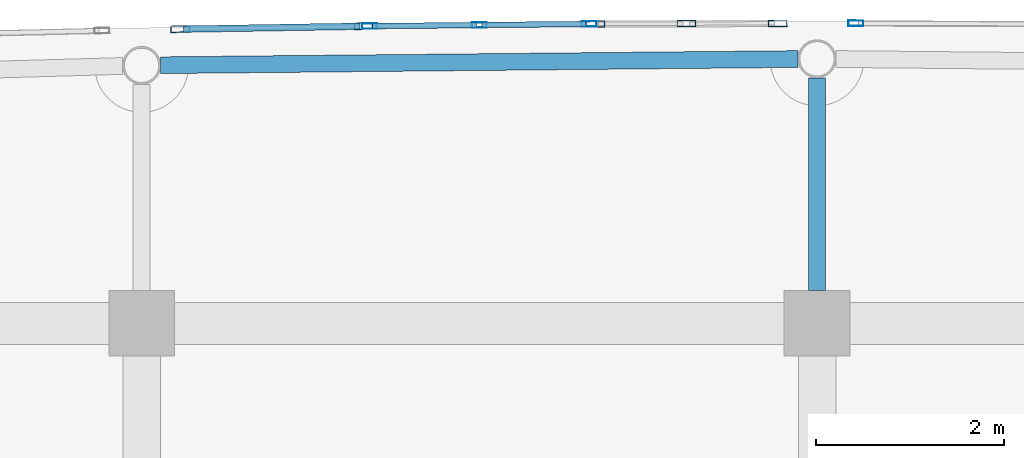
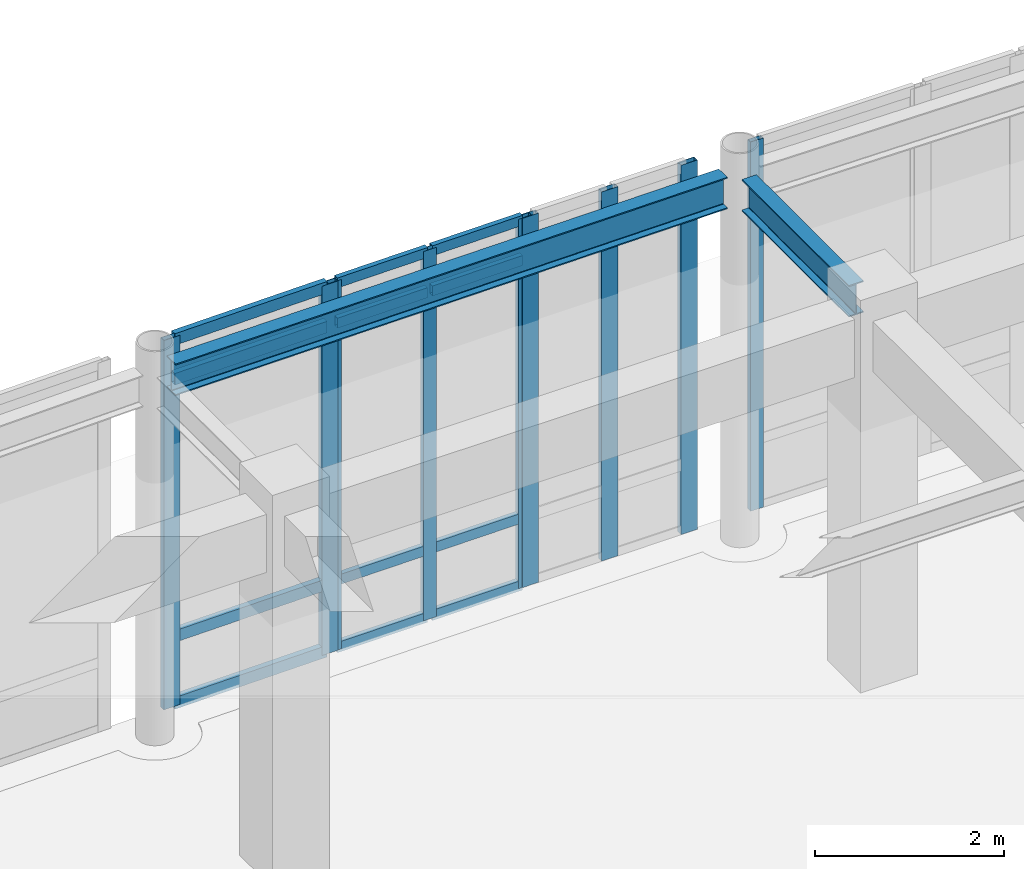
# One storey, part 49 of 117: 21 members, 2 beams, 4 elements without a shape of their own.
"""IFC4 building model written with IfcOpenShell, lengths in metres."""

from ifc_helpers import new_model, si_unit, direction, frame, origin, origin_2d, place, context, subcontext, project, spatial, hollow_rectangle, i_section, extrude, material, layer, layer_set, material_profile, profile_set, type_object, element, aggregate, save


model = new_model("IFC4")

# Units and contexts
model_context = context("Model", 3, precision=1e-05, world=origin(), true_north=direction((0.0, 1.0)))
body_context = subcontext(model_context, "Body", "Model", "MODEL_VIEW")
ifc_project = project(units=[si_unit("LENGTHUNIT", "METRE"), si_unit("AREAUNIT", "SQUARE_METRE"), si_unit("VOLUMEUNIT", "CUBIC_METRE"), si_unit("PLANEANGLEUNIT", "RADIAN"), si_unit("MASSUNIT", "GRAM", prefix="KILO")], contexts=[model_context])

# Site, building, storey
site_placement = place(None, origin())
site = spatial("IfcSite", under=ifc_project, at=site_placement, CompositionType="ELEMENT")
building_placement = place(site_placement, origin())
building = spatial("IfcBuilding", under=site, at=building_placement, Name="Carrowvane Square Congress Hotel", CompositionType="ELEMENT")
storey_placement = place(building_placement, frame((0.0, 0.0, 5.39990234375)))
storey = spatial("IfcBuildingStorey", under=building, at=storey_placement, Name="L01", CompositionType="ELEMENT", Elevation=5.39990234375)

# Beams
ifc_material_1 = material(Name="Steel S355", Category="steel")
ifc_material_profile_1 = material_profile(ifc_material_1, i_section(OverallWidth=0.1787109375, OverallDepth=0.409423828125, WebThickness=0.0087890625, FlangeThickness=0.014404296875, FilletRadius=0.01025390625, at=origin_2d()), Name="UKB 406x178x67")
ifc_profile_set_1 = profile_set([ifc_material_profile_1], Name="Steel S355")
beam_type = type_object("IfcBeamType", Name="BM-ST-UKB406", PredefinedType="BEAM", material=ifc_profile_set_1)
beam_1_placement = place(storey_placement, frame((91.003173828125, 116.15185546875, 4.575439453125), z_axis=(0.999952581816, 0.009738281154, 0.0), x_axis=(-0.009738281154, 0.999952581816, 0.0)))
element("IfcBeam", 1, at=beam_1_placement, inside=storey, type_object=beam_type, Name="L02 curved north spandrel", PredefinedType="BEAM", context=body_context, shape_type="SweptSolid", body=[
    extrude(i_section(OverallWidth=0.1787109375, OverallDepth=0.409423828125, WebThickness=0.0087890625, FlangeThickness=0.014404296875, FilletRadius=0.01025390625, at=origin_2d()), origin(), (0.0, 0.0, 1.0), 6.7939453125),
])
beam_2_placement = place(storey_placement, frame((98.0, 113.75, 4.575439453125), z_axis=(0.0, 1.0, 0.0), x_axis=(-1.0, 0.0, 0.0)))
element("IfcBeam", 2, at=beam_2_placement, inside=storey, type_object=beam_type, Name="L02 radial north beam 13", PredefinedType="BEAM", context=body_context, shape_type="SweptSolid", body=[
    extrude(i_section(OverallWidth=0.1787109375, OverallDepth=0.409423828125, WebThickness=0.0087890625, FlangeThickness=0.014404296875, FilletRadius=0.01025390625, at=origin_2d()), origin(), (0.0, 0.0, 1.0), 2.266845703125),
])

# Curtain wall, members
ifc_material_2 = material(Name="Anodised aluminium", Category="aluminium")
ifc_layer_1 = layer(ifc_material_2, 0.23388671875)
ifc_layer_set_1 = layer_set([ifc_layer_1], Name="Anodised aluminium")
curtain_wall_type_1 = type_object("IfcCurtainWallType", Name="CW-SYS-7", PredefinedType="NOTDEFINED", material=ifc_layer_set_1)
curtain_wall_1_placement = place(storey_placement, origin())
curtain_wall_1 = element("IfcCurtainWall", 3, at=curtain_wall_1_placement, inside=storey, type_object=curtain_wall_type_1, Name="L01 unitised curtain wall 86", PredefinedType="NOTDEFINED")
ifc_material_3 = material(Name="Anodised aluminium", Category="aluminium")
ifc_material_profile_2 = material_profile(ifc_material_3, hollow_rectangle(XDim=0.06005859375, YDim=0.159912109375, WallThickness=0.00390625, at=origin_2d()), Name="CW-ML 60x160x4")
ifc_profile_set_2 = profile_set([ifc_material_profile_2], Name="Anodised aluminium")
member_type_1 = type_object("IfcMemberType", Name="CW-MUL-1", PredefinedType="MULLION", material=ifc_profile_set_2)
member_1_placement = place(storey_placement, frame((93.22998046875, 116.56884765625, 0.0), z_axis=(0.0, 0.0, 1.0), x_axis=(-0.009782905924, 0.999952146231, 0.0)))
member_1 = element("IfcMember", 4, at=member_1_placement, type_object=member_type_1, Name="CW-7 mullion 1", PredefinedType="MULLION", context=body_context, shape_type="SweptSolid", body=[
    extrude(hollow_rectangle(XDim=0.06005859375, YDim=0.159912109375, WallThickness=0.00390625, at=origin_2d()), origin(), (0.0, 0.0, 1.0), 4.780029296875),
])
member_2_placement = place(storey_placement, frame((94.39990234375, 116.580322265625, 0.0), z_axis=(0.0, 0.0, 1.0), x_axis=(-0.009782905924, 0.999952146231, 0.0)))
member_2 = element("IfcMember", 5, at=member_2_placement, type_object=member_type_1, Name="CW-7 mullion 2", PredefinedType="MULLION", context=body_context, shape_type="SweptSolid", body=[
    extrude(hollow_rectangle(XDim=0.06005859375, YDim=0.159912109375, WallThickness=0.00390625, at=origin_2d()), origin(), (0.0, 0.0, 1.0), 4.780029296875),
])
member_3_placement = place(storey_placement, frame((95.570068359375, 116.591796875, 0.0), z_axis=(0.0, 0.0, 1.0), x_axis=(-0.009782905924, 0.999952146231, 0.0)))
member_3 = element("IfcMember", 6, at=member_3_placement, type_object=member_type_1, Name="CW-7 mullion 3", PredefinedType="MULLION", context=body_context, shape_type="SweptSolid", body=[
    extrude(hollow_rectangle(XDim=0.06005859375, YDim=0.159912109375, WallThickness=0.00390625, at=origin_2d()), origin(), (0.0, 0.0, 1.0), 4.780029296875),
])

# Curtain wall, member
ifc_material_4 = material(Name="Anodised aluminium", Category="aluminium")
ifc_layer_2 = layer(ifc_material_4, 0.162109375)
ifc_layer_set_2 = layer_set([ifc_layer_2], Name="Anodised aluminium")
curtain_wall_type_2 = type_object("IfcCurtainWallType", Name="CW-SYS-1", PredefinedType="NOTDEFINED", material=ifc_layer_set_2)
curtain_wall_2_placement = place(storey_placement, origin())
curtain_wall_2 = element("IfcCurtainWall", 7, at=curtain_wall_2_placement, inside=storey, type_object=curtain_wall_type_2, Name="L01 unitised curtain wall 88", PredefinedType="NOTDEFINED")
member_4_placement = place(storey_placement, frame((98.414794921875, 116.5986328125, 0.0), z_axis=(0.0, 0.0, 1.0), x_axis=(0.003270307911, 0.999994652529, 0.0)))
member_4 = element("IfcMember", 8, at=member_4_placement, type_object=member_type_1, Name="CW-1 mullion 1", PredefinedType="MULLION", context=body_context, shape_type="SweptSolid", body=[
    extrude(hollow_rectangle(XDim=0.06005859375, YDim=0.159912109375, WallThickness=0.00390625, at=origin_2d()), origin(), (0.0, 0.0, 1.0), 4.780029296875),
])
aggregate(curtain_wall_2, [member_4])

# Curtain wall, members
ifc_material_5 = material(Name="Anodised aluminium", Category="aluminium")
ifc_layer_3 = layer(ifc_material_5, 0.221923828125)
ifc_layer_set_3 = layer_set([ifc_layer_3], Name="Anodised aluminium")
curtain_wall_type_3 = type_object("IfcCurtainWallType", Name="CW-SYS-6", PredefinedType="NOTDEFINED", material=ifc_layer_set_3)
curtain_wall_3_placement = place(storey_placement, origin())
curtain_wall_3 = element("IfcCurtainWall", 9, at=curtain_wall_3_placement, inside=storey, type_object=curtain_wall_type_3, Name="L01 unitised curtain wall 85", PredefinedType="NOTDEFINED")
ifc_material_6 = material(Name="Anodised aluminium", Category="aluminium")
ifc_material_profile_3 = material_profile(ifc_material_6, hollow_rectangle(XDim=0.070068359375, YDim=0.199951171875, WallThickness=0.0048828125, at=origin_2d()), Name="CW-ML 70x200x5")
ifc_profile_set_3 = profile_set([ifc_material_profile_3], Name="Anodised aluminium")
member_type_2 = type_object("IfcMemberType", Name="CW-MUL-2", PredefinedType="MULLION", material=ifc_profile_set_3)
member_5_placement = place(storey_placement, frame((91.212646484375, 116.536376953125, 0.0), z_axis=(0.0, 0.0, 1.0), x_axis=(-0.016215981364, 0.99986851233, 0.0)))
member_5 = element("IfcMember", 10, at=member_5_placement, type_object=member_type_2, Name="CW-6 mullion 1", PredefinedType="MULLION", context=body_context, shape_type="SweptSolid", body=[
    extrude(hollow_rectangle(XDim=0.070068359375, YDim=0.199951171875, WallThickness=0.0048828125, at=origin_2d()), origin(), (0.0, 0.0, 1.0), 4.780029296875),
])
member_6_placement = place(storey_placement, frame((93.1650390625, 116.568115234375, 0.0), z_axis=(0.0, 0.0, 1.0), x_axis=(-0.016215981364, 0.99986851233, 0.0)))
member_6 = element("IfcMember", 11, at=member_6_placement, type_object=member_type_2, Name="CW-6 mullion 2", PredefinedType="MULLION", context=body_context, shape_type="SweptSolid", body=[
    extrude(hollow_rectangle(XDim=0.070068359375, YDim=0.199951171875, WallThickness=0.0048828125, at=origin_2d()), origin(), (0.0, 0.0, 1.0), 4.780029296875),
])

ifc_material_7 = material(Name="Anodised aluminium", Category="aluminium")
ifc_layer_4 = layer(ifc_material_7, 0.24609375)
ifc_layer_set_4 = layer_set([ifc_layer_4], Name="Anodised aluminium")
curtain_wall_type_4 = type_object("IfcCurtainWallType", Name="CW-SYS-8", PredefinedType="NOTDEFINED", material=ifc_layer_set_4)
curtain_wall_4_placement = place(storey_placement, origin())
curtain_wall_4 = element("IfcCurtainWall", 12, at=curtain_wall_4_placement, inside=storey, type_object=curtain_wall_type_4, Name="L01 unitised curtain wall 87", PredefinedType="NOTDEFINED")
member_7_placement = place(storey_placement, frame((95.635009765625, 116.59228515625, 0.0), z_axis=(0.0, 0.0, 1.0), x_axis=(-0.003270307911, 0.999994652529, 0.0)))
member_7 = element("IfcMember", 13, at=member_7_placement, type_object=member_type_2, Name="CW-8 mullion 1", PredefinedType="MULLION", context=body_context, shape_type="SweptSolid", body=[
    extrude(hollow_rectangle(XDim=0.070068359375, YDim=0.199951171875, WallThickness=0.0048828125, at=origin_2d()), origin(), (0.0, 0.0, 1.0), 4.780029296875),
])
member_8_placement = place(storey_placement, frame((96.607666015625, 116.595458984375, 0.0), z_axis=(0.0, 0.0, 1.0), x_axis=(-0.003270307911, 0.999994652529, 0.0)))
member_8 = element("IfcMember", 14, at=member_8_placement, type_object=member_type_2, Name="CW-8 mullion 2", PredefinedType="MULLION", context=body_context, shape_type="SweptSolid", body=[
    extrude(hollow_rectangle(XDim=0.070068359375, YDim=0.199951171875, WallThickness=0.0048828125, at=origin_2d()), origin(), (0.0, 0.0, 1.0), 4.780029296875),
])
member_9_placement = place(storey_placement, frame((97.580078125, 116.5986328125, 0.0), z_axis=(0.0, 0.0, 1.0), x_axis=(-0.003270307911, 0.999994652529, 0.0)))
member_9 = element("IfcMember", 15, at=member_9_placement, type_object=member_type_2, Name="CW-8 mullion 3", PredefinedType="MULLION", context=body_context, shape_type="SweptSolid", body=[
    extrude(hollow_rectangle(XDim=0.070068359375, YDim=0.199951171875, WallThickness=0.0048828125, at=origin_2d()), origin(), (0.0, 0.0, 1.0), 4.780029296875),
])
aggregate(curtain_wall_4, [member_7, member_8, member_9])

# Member
ifc_material_8 = material(Name="Anodised aluminium", Category="aluminium")
ifc_material_profile_4 = material_profile(ifc_material_8, hollow_rectangle(XDim=0.06005859375, YDim=0.1298828125, WallThickness=0.00390625, at=origin_2d()), Name="CW-TR 60x130x4")
ifc_profile_set_4 = profile_set([ifc_material_profile_4], Name="Anodised aluminium")
member_type_3 = type_object("IfcMemberType", Name="CW-TRN-1", PredefinedType="USERDEFINED", material=ifc_profile_set_4)
member_10_placement = place(storey_placement, frame((93.260009765625, 116.5693359375, 0.030029296875), z_axis=(0.99995318393, 0.009676256893, 0.0), x_axis=(-0.009676256893, 0.99995318393, 0.0)))
member_10 = element("IfcMember", 16, at=member_10_placement, type_object=member_type_3, Name="CW-7 transom 1.1", ObjectType="TRANSOM", PredefinedType="USERDEFINED", context=body_context, shape_type="SweptSolid", body=[
    extrude(hollow_rectangle(XDim=0.06005859375, YDim=0.1298828125, WallThickness=0.00390625, at=origin_2d()), origin(), (0.0, 0.0, 1.0), 1.110107421875),
])

member_11_placement = place(storey_placement, frame((93.260009765625, 116.5693359375, 0.900146484375), z_axis=(0.99995318393, 0.009676256893, 0.0), x_axis=(-0.009676256893, 0.99995318393, 0.0)))
member_11 = element("IfcMember", 17, at=member_11_placement, type_object=member_type_3, Name="CW-7 transom 1.2", ObjectType="TRANSOM", PredefinedType="USERDEFINED", context=body_context, shape_type="SweptSolid", body=[
    extrude(hollow_rectangle(XDim=0.06005859375, YDim=0.1298828125, WallThickness=0.00390625, at=origin_2d()), origin(), (0.0, 0.0, 1.0), 1.110107421875),
])

member_12_placement = place(storey_placement, frame((93.260009765625, 116.5693359375, 4.22998046875), z_axis=(0.99995318393, 0.009676256893, 0.0), x_axis=(-0.009676256893, 0.99995318393, 0.0)))
member_12 = element("IfcMember", 18, at=member_12_placement, type_object=member_type_3, Name="CW-7 transom 1.3", ObjectType="TRANSOM", PredefinedType="USERDEFINED", context=body_context, shape_type="SweptSolid", body=[
    extrude(hollow_rectangle(XDim=0.06005859375, YDim=0.1298828125, WallThickness=0.00390625, at=origin_2d()), origin(), (0.0, 0.0, 1.0), 1.110107421875),
])

member_13_placement = place(storey_placement, frame((93.260009765625, 116.5693359375, 4.75), z_axis=(0.99995318393, 0.009676256893, 0.0), x_axis=(-0.009676256893, 0.99995318393, 0.0)))
member_13 = element("IfcMember", 19, at=member_13_placement, type_object=member_type_3, Name="CW-7 transom 1.4", ObjectType="TRANSOM", PredefinedType="USERDEFINED", context=body_context, shape_type="SweptSolid", body=[
    extrude(hollow_rectangle(XDim=0.06005859375, YDim=0.1298828125, WallThickness=0.00390625, at=origin_2d()), origin(), (0.0, 0.0, 1.0), 1.110107421875),
])

member_14_placement = place(storey_placement, frame((94.429931640625, 116.580810546875, 0.030029296875), z_axis=(0.99995318393, 0.009676256893, 0.0), x_axis=(-0.009676256893, 0.99995318393, 0.0)))
member_14 = element("IfcMember", 20, at=member_14_placement, type_object=member_type_3, Name="CW-7 transom 2.1", ObjectType="TRANSOM", PredefinedType="USERDEFINED", context=body_context, shape_type="SweptSolid", body=[
    extrude(hollow_rectangle(XDim=0.06005859375, YDim=0.1298828125, WallThickness=0.00390625, at=origin_2d()), origin(), (0.0, 0.0, 1.0), 1.110107421875),
])

member_15_placement = place(storey_placement, frame((94.429931640625, 116.580810546875, 0.900146484375), z_axis=(0.99995318393, 0.009676256893, 0.0), x_axis=(-0.009676256893, 0.99995318393, 0.0)))
member_15 = element("IfcMember", 21, at=member_15_placement, type_object=member_type_3, Name="CW-7 transom 2.2", ObjectType="TRANSOM", PredefinedType="USERDEFINED", context=body_context, shape_type="SweptSolid", body=[
    extrude(hollow_rectangle(XDim=0.06005859375, YDim=0.1298828125, WallThickness=0.00390625, at=origin_2d()), origin(), (0.0, 0.0, 1.0), 1.110107421875),
])

member_16_placement = place(storey_placement, frame((94.429931640625, 116.580810546875, 4.22998046875), z_axis=(0.99995318393, 0.009676256893, 0.0), x_axis=(-0.009676256893, 0.99995318393, 0.0)))
member_16 = element("IfcMember", 22, at=member_16_placement, type_object=member_type_3, Name="CW-7 transom 2.3", ObjectType="TRANSOM", PredefinedType="USERDEFINED", context=body_context, shape_type="SweptSolid", body=[
    extrude(hollow_rectangle(XDim=0.06005859375, YDim=0.1298828125, WallThickness=0.00390625, at=origin_2d()), origin(), (0.0, 0.0, 1.0), 1.110107421875),
])

member_17_placement = place(storey_placement, frame((94.429931640625, 116.580810546875, 4.75), z_axis=(0.99995318393, 0.009676256893, 0.0), x_axis=(-0.009676256893, 0.99995318393, 0.0)))
member_17 = element("IfcMember", 23, at=member_17_placement, type_object=member_type_3, Name="CW-7 transom 2.4", ObjectType="TRANSOM", PredefinedType="USERDEFINED", context=body_context, shape_type="SweptSolid", body=[
    extrude(hollow_rectangle(XDim=0.06005859375, YDim=0.1298828125, WallThickness=0.00390625, at=origin_2d()), origin(), (0.0, 0.0, 1.0), 1.110107421875),
])

aggregate(curtain_wall_1, [member_1, member_2, member_3, member_10, member_11, member_12, member_13, member_14, member_15, member_16, member_17])

ifc_material_9 = material(Name="Anodised aluminium", Category="aluminium")
ifc_material_profile_5 = material_profile(ifc_material_9, hollow_rectangle(XDim=0.070068359375, YDim=0.14990234375, WallThickness=0.0048828125, at=origin_2d()), Name="CW-TR 70x150x5")
ifc_profile_set_5 = profile_set([ifc_material_profile_5], Name="Anodised aluminium")
member_type_4 = type_object("IfcMemberType", Name="CW-TRN-2", PredefinedType="USERDEFINED", material=ifc_profile_set_5)
member_18_placement = place(storey_placement, frame((91.24755859375, 116.537109375, 0.03515625), z_axis=(0.999868599908, 0.016210580414, 0.0), x_axis=(-0.016210580414, 0.999868599908, 0.0)))
member_18 = element("IfcMember", 24, at=member_18_placement, type_object=member_type_4, Name="CW-6 transom 1.1", ObjectType="TRANSOM", PredefinedType="USERDEFINED", context=body_context, shape_type="SweptSolid", body=[
    extrude(hollow_rectangle(XDim=0.070068359375, YDim=0.14990234375, WallThickness=0.0048828125, at=origin_2d()), origin(), (0.0, 0.0, 1.0), 1.882568359375),
])

member_19_placement = place(storey_placement, frame((91.24755859375, 116.537109375, 0.900146484375), z_axis=(0.999868599908, 0.016210580414, 0.0), x_axis=(-0.016210580414, 0.999868599908, 0.0)))
member_19 = element("IfcMember", 25, at=member_19_placement, type_object=member_type_4, Name="CW-6 transom 1.2", ObjectType="TRANSOM", PredefinedType="USERDEFINED", context=body_context, shape_type="SweptSolid", body=[
    extrude(hollow_rectangle(XDim=0.070068359375, YDim=0.14990234375, WallThickness=0.0048828125, at=origin_2d()), origin(), (0.0, 0.0, 1.0), 1.882568359375),
])

member_20_placement = place(storey_placement, frame((91.24755859375, 116.537109375, 4.22998046875), z_axis=(0.999868599908, 0.016210580414, 0.0), x_axis=(-0.016210580414, 0.999868599908, 0.0)))
member_20 = element("IfcMember", 26, at=member_20_placement, type_object=member_type_4, Name="CW-6 transom 1.3", ObjectType="TRANSOM", PredefinedType="USERDEFINED", context=body_context, shape_type="SweptSolid", body=[
    extrude(hollow_rectangle(XDim=0.070068359375, YDim=0.14990234375, WallThickness=0.0048828125, at=origin_2d()), origin(), (0.0, 0.0, 1.0), 1.882568359375),
])

member_21_placement = place(storey_placement, frame((91.24755859375, 116.537109375, 4.7451171875), z_axis=(0.999868599908, 0.016210580414, 0.0), x_axis=(-0.016210580414, 0.999868599908, 0.0)))
member_21 = element("IfcMember", 27, at=member_21_placement, type_object=member_type_4, Name="CW-6 transom 1.4", ObjectType="TRANSOM", PredefinedType="USERDEFINED", context=body_context, shape_type="SweptSolid", body=[
    extrude(hollow_rectangle(XDim=0.070068359375, YDim=0.14990234375, WallThickness=0.0048828125, at=origin_2d()), origin(), (0.0, 0.0, 1.0), 1.882568359375),
])

aggregate(curtain_wall_3, [member_5, member_6, member_18, member_19, member_20, member_21])

save(model, "model.ifc")
